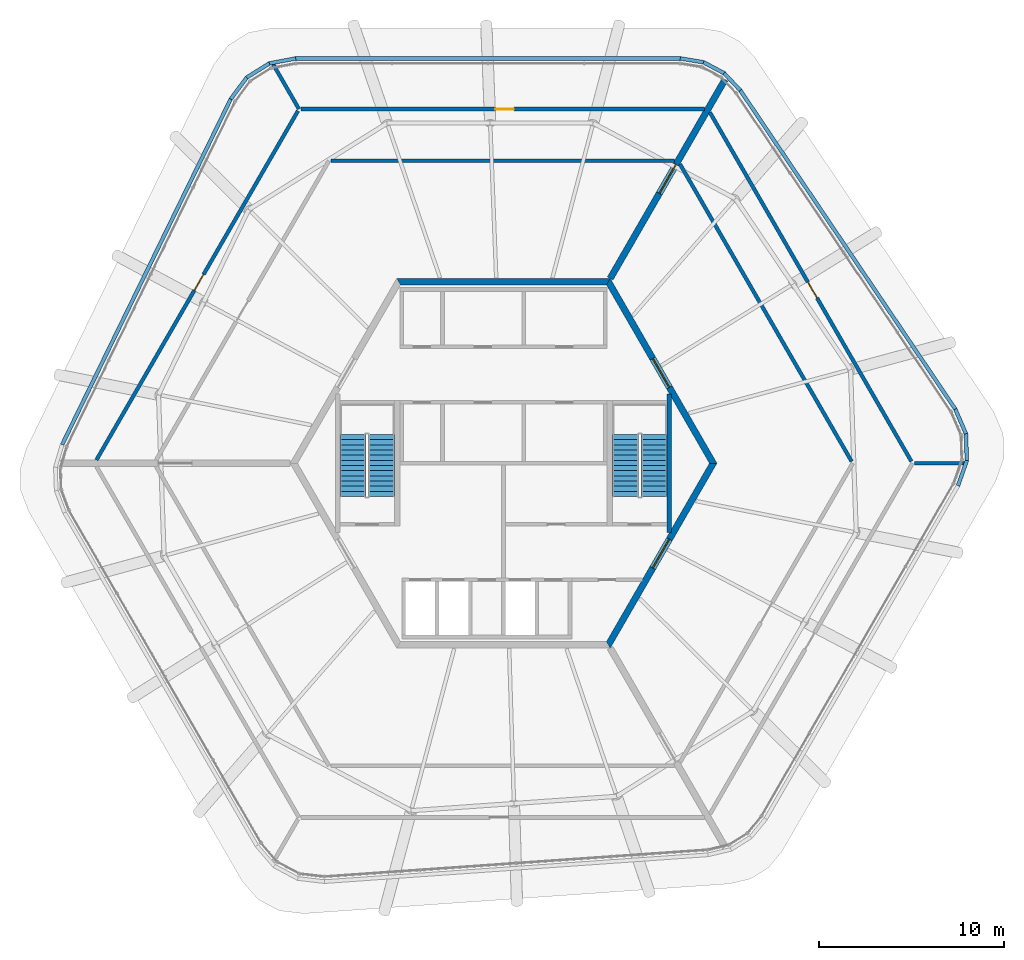
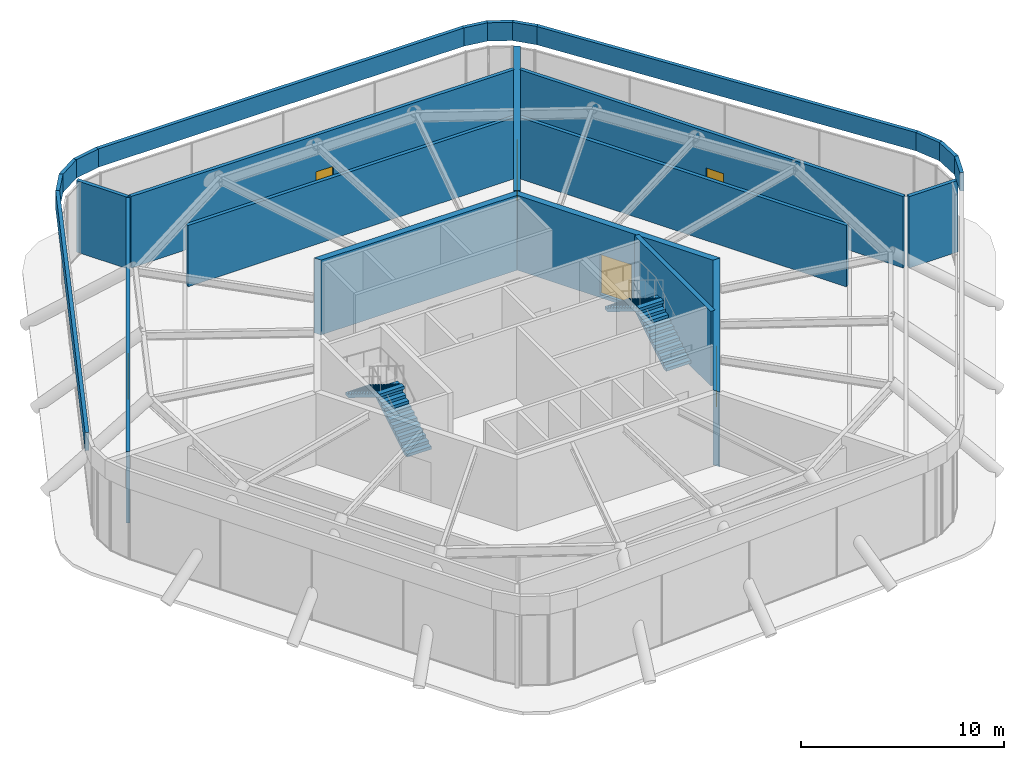
# One storey, part 12 of 13: 24 walls, 6 doors, 4 stair flights, 6 openings, 2 elements without a shape of their own.
"""IFC4 building model written with IfcOpenShell, lengths in metres."""

from ifc_helpers import new_model, si_unit, direction, frame, frame_2d, origin, place, context, subcontext, project, spatial, polyline, rectangle, outline, extrude, material, layer, layer_set, type_object, element, fill, aggregate, save


model = new_model("IFC4")

# Units and contexts
model_context = context("Model", 3, precision=1e-05, world=origin(), true_north=direction((0.0, 1.0)))
body_context = subcontext(model_context, "Body", "Model", "MODEL_VIEW")
ifc_project = project(units=[si_unit("LENGTHUNIT", "METRE"), si_unit("AREAUNIT", "SQUARE_METRE"), si_unit("VOLUMEUNIT", "CUBIC_METRE"), si_unit("PLANEANGLEUNIT", "RADIAN"), si_unit("MASSUNIT", "GRAM", prefix="KILO")], contexts=[model_context])

# Site, building, storey
site_placement = place(None, origin())
site = spatial("IfcSite", under=ifc_project, at=site_placement, CompositionType="ELEMENT")
building_placement = place(site_placement, origin())
building = spatial("IfcBuilding", under=site, at=building_placement, Name="Tarnside Tower", CompositionType="ELEMENT")
storey_placement = place(building_placement, frame((0.0, 0.0, 388.199951171875)))
storey = spatial("IfcBuildingStorey", under=building, at=storey_placement, Name="L92", CompositionType="ELEMENT", Elevation=388.199951171875)

# Wall, opening, door
ifc_material_1 = material(Name="Concrete C50/60", Category="concrete")
ifc_layer_1 = layer(ifc_material_1, 0.35009765625)
ifc_layer_set_1 = layer_set([ifc_layer_1], Name="Core wall Z4 350 C50/60")
wall_type_1 = type_object("IfcWallType", Name="Core wall Z4 350 C50/60", PredefinedType="SHEAR", material=ifc_layer_set_1)
wall_1_placement = place(storey_placement, frame((5.672607421875, -9.824951171875, -0.199951171875), z_axis=(0.0, 0.0, 1.0), x_axis=(0.499995046907, 0.866028263435, 0.0)))
wall_1 = element("IfcWall", 1, at=wall_1_placement, inside=storey, type_object=wall_type_1, Name="L92 core wall face 5", PredefinedType="SHEAR", context=body_context, shape_type="SweptSolid", body=[
    extrude(outline(polyline([(-0.10107421875, -0.175048828125), (11.44580078125, -0.175048828125), (11.24365234375, 0.175048828125), (0.10107421875, 0.175048828125), (-0.10107421875, -0.175048828125)])), origin(), (0.0, 0.0, 1.0), 4.5),
])
opening_1_placement = place(wall_1_placement, frame((4.80126953125, 0.0, 0.199951171875)))
opening_1 = element("IfcOpeningElement", 2, at=opening_1_placement, cuts=wall_1, Name="Opening CD-FFL", PredefinedType="OPENING", context=body_context, shape_type="SweptSolid", body=[
    extrude(rectangle(XDim=1.800048828125, YDim=2.39990234375, at=frame_2d((0.89990234375, 1.199951171875))), frame((0.0, 0.18505859375, 0.0), z_axis=(0.0, -1.0, 0.0), x_axis=(1.0, 0.0, 0.0)), (0.0, 0.0, 1.0), 0.3701171875),
])
ifc_material_2 = material(Name="Steel fire door", Category="steel")
door_type_1 = type_object("IfcDoorType", Name="Firefighting lobby double door FD60S 1800x2400", OperationType="NOTDEFINED", PredefinedType="DOOR", material=ifc_material_2)
door_1_placement = place(opening_1_placement, origin())
door_1 = element("IfcDoor", 3, at=door_1_placement, inside=storey, type_object=door_type_1, Name="L92 core door P4", OperationType="DOUBLE_DOOR_SINGLE_SWING", OverallHeight=2.39990234375, OverallWidth=1.800048828125, PredefinedType="DOOR", context=body_context, shape_type="SweptSolid", body=[
    extrude(rectangle(XDim=1.800048828125, YDim=2.39990234375, at=frame_2d((0.89990234375, 1.199951171875))), frame((0.0, 0.02490234375, 0.0), z_axis=(0.0, -1.0, 0.0), x_axis=(1.0, 0.0, 0.0)), (0.0, 0.0, 1.0), 0.050048828125),
])
fill(opening_1, door_1)

wall_2_placement = place(storey_placement, frame((11.344970703125, 0.0, -0.199951171875), z_axis=(0.0, 0.0, 1.0), x_axis=(-0.499995046907, 0.866028263435, 0.0)))
wall_2 = element("IfcWall", 4, at=wall_2_placement, inside=storey, type_object=wall_type_1, Name="L92 core wall face 6", PredefinedType="SHEAR", context=body_context, shape_type="SweptSolid", body=[
    extrude(outline(polyline([(-0.10107421875, -0.175048828125), (11.44580078125, -0.175048828125), (11.24365234375, 0.175048828125), (0.10107421875, 0.175048828125), (-0.10107421875, -0.175048828125)])), origin(), (0.0, 0.0, 1.0), 4.5),
])
opening_2_placement = place(wall_2_placement, frame((4.74365234375, 0.0, 0.199951171875)))
opening_2 = element("IfcOpeningElement", 5, at=opening_2_placement, cuts=wall_2, Name="Opening CD-LOB", PredefinedType="OPENING", context=body_context, shape_type="SweptSolid", body=[
    extrude(rectangle(XDim=1.800048828125, YDim=2.39990234375, at=frame_2d((0.89990234375, 1.199951171875))), frame((0.0, 0.18505859375, 0.0), z_axis=(0.0, -1.0, 0.0), x_axis=(1.0, 0.0, 0.0)), (0.0, 0.0, 1.0), 0.3701171875),
])
door_type_2 = type_object("IfcDoorType", Name="Lobby double door FD30S 1800x2400", OperationType="NOTDEFINED", PredefinedType="DOOR", material=ifc_material_2)
door_2_placement = place(opening_2_placement, origin())
door_2 = element("IfcDoor", 6, at=door_2_placement, inside=storey, type_object=door_type_2, Name="L92 core door P2", OperationType="DOUBLE_DOOR_SINGLE_SWING", OverallHeight=2.39990234375, OverallWidth=1.800048828125, PredefinedType="DOOR", context=body_context, shape_type="SweptSolid", body=[
    extrude(rectangle(XDim=1.800048828125, YDim=2.39990234375, at=frame_2d((0.89990234375, 1.199951171875))), frame((0.0, 0.02490234375, 0.0), z_axis=(0.0, -1.0, 0.0), x_axis=(1.0, 0.0, 0.0)), (0.0, 0.0, 1.0), 0.050048828125),
])
fill(opening_2, door_2)

# Wall
wall_3_placement = place(storey_placement, frame((5.672607421875, 9.824951171875, -0.199951171875), z_axis=(0.0, 0.0, 1.0), x_axis=(-1.0, 0.0, 0.0)))
element("IfcWall", 7, at=wall_3_placement, inside=storey, type_object=wall_type_1, Name="L92 core wall face 1", PredefinedType="SHEAR", context=body_context, shape_type="SweptSolid", body=[
    extrude(outline(polyline([(-0.10107421875, -0.175048828125), (11.4462890625, -0.175048828125), (11.244140625, 0.175048828125), (0.10107421875, 0.175048828125), (-0.10107421875, -0.175048828125)])), origin(), (0.0, 0.0, 1.0), 4.5),
])

# Wall, opening, door
wall_4_placement = place(storey_placement, frame((5.7734375, 10.0, -0.199951171875), z_axis=(0.0, 0.0, 1.0), x_axis=(0.50001273609, 0.866018050475, 0.0)))
wall_4 = element("IfcWall", 8, at=wall_4_placement, inside=storey, type_object=wall_type_1, Name="L92 spine wall 1", PredefinedType="SHEAR", context=body_context, shape_type="SweptSolid", body=[
    extrude(rectangle(XDim=12.425048828125, YDim=0.35009765625, at=frame_2d((6.21240234375, 0.0))), origin(), (0.0, 0.0, 1.0), 4.5),
])
opening_3_placement = place(wall_4_placement, frame((5.3125, 0.0, 0.199951171875)))
opening_3 = element("IfcOpeningElement", 9, at=opening_3_placement, cuts=wall_4, Name="Opening CD-SPN", PredefinedType="OPENING", context=body_context, shape_type="SweptSolid", body=[
    extrude(rectangle(XDim=1.800048828125, YDim=2.39990234375, at=frame_2d((0.89990234375, 1.199951171875))), frame((0.0, 0.18505859375, 0.0), z_axis=(0.0, -1.0, 0.0), x_axis=(1.0, 0.0, 0.0)), (0.0, 0.0, 1.0), 0.3701171875),
])
door_type_3 = type_object("IfcDoorType", Name="Spine passage double door FD60 1800x2400", OperationType="NOTDEFINED", PredefinedType="DOOR", material=ifc_material_2)
door_3_placement = place(opening_3_placement, origin())
door_3 = element("IfcDoor", 10, at=door_3_placement, inside=storey, type_object=door_type_3, Name="L92 spine passage door 1", OperationType="DOUBLE_DOOR_SINGLE_SWING", OverallHeight=2.39990234375, OverallWidth=1.800048828125, PredefinedType="DOOR", context=body_context, shape_type="SweptSolid", body=[
    extrude(rectangle(XDim=1.800048828125, YDim=2.39990234375, at=frame_2d((0.89990234375, 1.199951171875))), frame((0.0, 0.02490234375, 0.0), z_axis=(0.0, -1.0, 0.0), x_axis=(1.0, 0.0, 0.0)), (0.0, 0.0, 1.0), 0.050048828125),
])
fill(opening_3, door_3)

# Walls
ifc_material_3 = material(Name="Concrete C35/45 precast", Category="concrete")
ifc_layer_2 = layer(ifc_material_3, 0.199951171875)
ifc_layer_set_2 = layer_set([ifc_layer_2], Name="Parapet 200 x 1100")
wall_type_2 = type_object("IfcWallType", Name="Parapet 200 x 1100", PredefinedType="PARAPET", material=ifc_layer_set_2)
wall_5_placement = place(storey_placement, frame((9.5625, 21.89990234375, 4.5), z_axis=(0.0, 0.0, 1.0), x_axis=(0.986779937267, -0.162065898346, 0.0)))
element("IfcWall", 11, at=wall_5_placement, inside=storey, type_object=wall_type_2, Name="Roof parapet 01", PredefinedType="PARAPET", context=body_context, shape_type="SweptSolid", body=[
    extrude(outline(polyline([(0.008056640625, -0.10009765625), (1.256591796875, -0.10009765625), (1.289306640625, 0.10009765625), (-0.008056640625, 0.10009765625), (0.008056640625, -0.10009765625)])), origin(), (0.0, 0.0, 1.0), 1.10009765625),
])
wall_6_placement = place(storey_placement, frame((10.818603515625, 21.693603515625, 4.5), z_axis=(0.0, 0.0, 1.0), x_axis=(0.88290815292, -0.469545731008, 0.0)))
element("IfcWall", 12, at=wall_6_placement, inside=storey, type_object=wall_type_2, Name="Roof parapet 02", PredefinedType="PARAPET", context=body_context, shape_type="SweptSolid", body=[
    extrude(outline(polyline([(0.016357421875, -0.10009765625), (1.248046875, -0.10009765625), (1.28076171875, 0.10009765625), (-0.016357421875, 0.10009765625), (0.016357421875, -0.10009765625)])), origin(), (0.0, 0.0, 1.0), 1.10009765625),
])
wall_7_placement = place(storey_placement, frame((11.93505859375, 21.099853515625, 4.5), z_axis=(0.0, 0.0, 1.0), x_axis=(0.686285527981, -0.727332230885, 0.0)))
element("IfcWall", 13, at=wall_7_placement, inside=storey, type_object=wall_type_2, Name="Roof parapet 03", PredefinedType="PARAPET", context=body_context, shape_type="SweptSolid", body=[
    extrude(outline(polyline([(0.016357421875, -0.10009765625), (1.264892578125, -0.10009765625), (1.281005859375, 0.10009765625), (-0.016357421875, 0.10009765625), (0.016357421875, -0.10009765625)])), origin(), (0.0, 0.0, 1.0), 1.10009765625),
])
wall_8_placement = place(storey_placement, frame((12.80859375, 20.174072265625, 4.5), z_axis=(0.0, 0.0, 1.0), x_axis=(0.559199078033, -0.829033407727, 0.0)))
element("IfcWall", 14, at=wall_8_placement, inside=storey, type_object=wall_type_2, Name="Roof parapet 04", PredefinedType="PARAPET", context=body_context, shape_type="SweptSolid", body=[
    extrude(outline(polyline([(0.008056640625, -0.10009765625), (20.79150390625, -0.10009765625), (20.81005859375, 0.10009765625), (-0.008056640625, 0.10009765625), (0.008056640625, -0.10009765625)])), origin(), (0.0, 0.0, 1.0), 1.10009765625),
])
wall_9_placement = place(storey_placement, frame((24.4404296875, 2.929443359375, 4.5), z_axis=(0.0, 0.0, 1.0), x_axis=(0.39594663585, -0.918273522192, 0.0)))
element("IfcWall", 15, at=wall_9_placement, inside=storey, type_object=wall_type_2, Name="Roof parapet 05", PredefinedType="PARAPET", context=body_context, shape_type="SweptSolid", body=[
    extrude(outline(polyline([(0.00927734375, -0.10009765625), (1.433837890625, -0.10009765625), (1.471435546875, 0.10009765625), (-0.00927734375, 0.10009765625), (0.00927734375, -0.10009765625)])), origin(), (0.0, 0.0, 1.0), 1.10009765625),
])
wall_10_placement = place(storey_placement, frame((25.015625, 1.595458984375, 4.5), z_axis=(0.0, 0.0, 1.0), x_axis=(0.034852691187, -0.999392460406, 0.0)))
element("IfcWall", 16, at=wall_10_placement, inside=storey, type_object=wall_type_2, Name="Roof parapet 06", PredefinedType="PARAPET", context=body_context, shape_type="SweptSolid", body=[
    extrude(outline(polyline([(0.018798828125, -0.10009765625), (1.42431640625, -0.10009765625), (1.4619140625, 0.10009765625), (-0.018798828125, 0.10009765625), (0.018798828125, -0.10009765625)])), origin(), (0.0, 0.0, 1.0), 1.10009765625),
])
wall_11_placement = place(storey_placement, frame((25.06591796875, 0.1533203125, 4.5), z_axis=(0.0, 0.0, 1.0), x_axis=(-0.330964304762, -0.943643274216, 0.0)))
element("IfcWall", 17, at=wall_11_placement, inside=storey, type_object=wall_type_2, Name="Roof parapet 07", PredefinedType="PARAPET", context=body_context, shape_type="SweptSolid", body=[
    extrude(outline(polyline([(0.018798828125, -0.10009765625), (1.443115234375, -0.10009765625), (1.461669921875, 0.10009765625), (-0.018798828125, 0.10009765625), (0.018798828125, -0.10009765625)])), origin(), (0.0, 0.0, 1.0), 1.10009765625),
])
wall_12_placement = place(storey_placement, frame((-23.87548828125, 1.005615234375, 4.5), z_axis=(0.0, 0.0, 1.0), x_axis=(0.43837021347, 0.898794501509, 0.0)))
element("IfcWall", 18, at=wall_12_placement, inside=storey, type_object=wall_type_2, Name="Roof parapet 20", PredefinedType="PARAPET", context=body_context, shape_type="SweptSolid", body=[
    extrude(outline(polyline([(0.008056640625, -0.10009765625), (20.79150390625, -0.10009765625), (20.81005859375, 0.10009765625), (-0.008056640625, 0.10009765625), (0.008056640625, -0.10009765625)])), origin(), (0.0, 0.0, 1.0), 1.10009765625),
])
wall_13_placement = place(storey_placement, frame((-14.757080078125, 19.701171875, 4.5), z_axis=(0.0, 0.0, 1.0), x_axis=(0.597118923952, 0.802152722777, 0.0)))
element("IfcWall", 19, at=wall_13_placement, inside=storey, type_object=wall_type_2, Name="Roof parapet 21", PredefinedType="PARAPET", context=body_context, shape_type="SweptSolid", body=[
    extrude(outline(polyline([(0.00927734375, -0.10009765625), (1.433837890625, -0.10009765625), (1.471435546875, 0.10009765625), (-0.00927734375, 0.10009765625), (0.00927734375, -0.10009765625)])), origin(), (0.0, 0.0, 1.0), 1.10009765625),
])
wall_14_placement = place(storey_placement, frame((-13.8896484375, 20.866455078125, 4.5), z_axis=(0.0, 0.0, 1.0), x_axis=(0.848083831846, 0.529862070884, 0.0)))
element("IfcWall", 20, at=wall_14_placement, inside=storey, type_object=wall_type_2, Name="Roof parapet 22", PredefinedType="PARAPET", context=body_context, shape_type="SweptSolid", body=[
    extrude(outline(polyline([(0.018798828125, -0.10009765625), (1.42431640625, -0.10009765625), (1.4619140625, 0.10009765625), (-0.018798828125, 0.10009765625), (0.018798828125, -0.10009765625)])), origin(), (0.0, 0.0, 1.0), 1.10009765625),
])
wall_15_placement = place(storey_placement, frame((-12.665771484375, 21.631103515625, 4.5), z_axis=(0.0, 0.0, 1.0), x_axis=(0.982729187844, 0.185049570005, 0.0)))
element("IfcWall", 21, at=wall_15_placement, inside=storey, type_object=wall_type_2, Name="Roof parapet 23", PredefinedType="PARAPET", context=body_context, shape_type="SweptSolid", body=[
    extrude(outline(polyline([(0.018798828125, -0.10009765625), (1.443359375, -0.10009765625), (1.4619140625, 0.10009765625), (-0.018798828125, 0.10009765625), (0.018798828125, -0.10009765625)])), origin(), (0.0, 0.0, 1.0), 1.10009765625),
])
wall_16_placement = place(storey_placement, frame((-11.23828125, 21.89990234375, 4.5), z_axis=(0.0, 0.0, 1.0), x_axis=(1.0, 0.0, 0.0)))
element("IfcWall", 22, at=wall_16_placement, inside=storey, type_object=wall_type_2, Name="Roof parapet 24", PredefinedType="PARAPET", context=body_context, shape_type="SweptSolid", body=[
    extrude(outline(polyline([(0.00927734375, -0.10009765625), (20.792724609375, -0.10009765625), (20.808837890625, 0.10009765625), (-0.00927734375, 0.10009765625), (0.00927734375, -0.10009765625)])), origin(), (0.0, 0.0, 1.0), 1.10009765625),
])
ifc_material_4 = material(Name="Concrete C40/50", Category="concrete")
ifc_layer_3 = layer(ifc_material_4, 0.25)
ifc_layer_set_3 = layer_set([ifc_layer_3], Name="Stair enclosure wall 250 C40/50")
wall_type_3 = type_object("IfcWallType", Name="Stair enclosure wall 250 C40/50", PredefinedType="SHEAR", material=ifc_layer_set_3)
wall_17_placement = place(storey_placement, frame((8.97509765625, -3.7548828125, -0.199951171875), z_axis=(0.0, 0.0, 1.0), x_axis=(0.0, 1.0, 0.0)))
element("IfcWall", 23, at=wall_17_placement, inside=storey, type_object=wall_type_3, Name="L92 stair 1 enclosure wall outer", PredefinedType="SHEAR", context=body_context, shape_type="SweptSolid", body=[
    extrude(rectangle(XDim=7.509765625, YDim=0.25, at=frame_2d((3.7548828125, 0.0))), origin(), (0.0, 0.0, 1.0), 4.5),
])
ifc_material_5 = material(Name="Concrete C32/40", Category="concrete")
ifc_layer_4 = layer(ifc_material_5, 0.199951171875)
ifc_layer_set_4 = layer_set([ifc_layer_4], Name="Wall 200 reinforced Concrete C32/40")
wall_type_4 = type_object("IfcWallType", Name="Wall 200 reinforced Concrete C32/40", PredefinedType="PARTITIONING", material=ifc_layer_set_4)
wall_18_placement = place(storey_placement, frame((-12.501953125, 21.653076171875, 0.0), z_axis=(0.0, 0.0, 1.0), x_axis=(0.500133489192, -0.865948320045, 0.0)))
element("IfcWall", 24, at=wall_18_placement, inside=storey, type_object=wall_type_4, Name="Partition 003", PredefinedType="PARTITIONING", context=body_context, shape_type="SweptSolid", body=[
    extrude(rectangle(XDim=2.879150390625, YDim=0.199951171875, at=frame_2d((1.439453125, 0.0))), origin(), (0.0, 0.0, 1.0), 4.300048828125),
])

# Wall, opening, door
wall_19_placement = place(storey_placement, frame((-22.02294921875, 0.175048828125, 0.0), z_axis=(0.0, 0.0, 1.0), x_axis=(0.500001886152, 0.866024314812, 0.0)))
wall_19 = element("IfcWall", 25, at=wall_19_placement, inside=storey, type_object=wall_type_4, Name="Partition 005", PredefinedType="PARTITIONING", context=body_context, shape_type="SweptSolid", body=[
    extrude(rectangle(XDim=21.806640625, YDim=0.199951171875, at=frame_2d((10.9033203125, 0.0))), origin(), (0.0, 0.0, 1.0), 4.300048828125),
])
opening_4_placement = place(wall_19_placement, frame((10.603271484375, 0.0, 0.0)))
opening_4 = element("IfcOpeningElement", 26, at=opening_4_placement, cuts=wall_19, Name="Opening D1000F60", PredefinedType="OPENING", context=body_context, shape_type="SweptSolid", body=[
    extrude(rectangle(XDim=1.0, YDim=2.10009765625, at=frame_2d((0.5, 1.050048828125))), frame((0.0, 0.10986328125, 0.0), z_axis=(0.0, -1.0, 0.0), x_axis=(1.0, 0.0, 0.0)), (0.0, 0.0, 1.0), 0.219970703125),
])
ifc_material_6 = material(Name="Timber door leaf", Category="wood")
door_type_4 = type_object("IfcDoorType", Name="Door 1000 x 2100 single leaf FD60 fire door", OperationType="NOTDEFINED", PredefinedType="DOOR", material=ifc_material_6)
door_4_placement = place(opening_4_placement, origin())
door_4 = element("IfcDoor", 27, at=door_4_placement, inside=storey, type_object=door_type_4, Name="Door L92-04", OperationType="SINGLE_SWING_LEFT", OverallHeight=2.10009765625, OverallWidth=1.0, PredefinedType="DOOR", context=body_context, shape_type="SweptSolid", body=[
    extrude(rectangle(XDim=1.0, YDim=2.10009765625, at=frame_2d((0.5, 1.050048828125))), frame((0.0, 0.02490234375, 0.0), z_axis=(0.0, -1.0, 0.0), x_axis=(1.0, 0.0, 0.0)), (0.0, 0.0, 1.0), 0.050048828125),
])
fill(opening_4, door_4)

# Wall
wall_20_placement = place(storey_placement, frame((9.242919921875, 16.360107421875, 0.0), z_axis=(0.0, 0.0, 1.0), x_axis=(-1.0, 0.0, 0.0)))
element("IfcWall", 28, at=wall_20_placement, inside=storey, type_object=wall_type_4, Name="Partition 008", PredefinedType="PARTITIONING", context=body_context, shape_type="SweptSolid", body=[
    extrude(rectangle(XDim=18.572509765625, YDim=0.199951171875, at=frame_2d((9.2861328125, 0.0))), origin(), (0.0, 0.0, 1.0), 3.6923828125),
])

# Wall, opening, door
wall_21_placement = place(storey_placement, frame((-10.946533203125, 19.159912109375, 0.0), z_axis=(0.0, 0.0, 1.0), x_axis=(1.0, 0.0, 0.0)))
wall_21 = element("IfcWall", 29, at=wall_21_placement, inside=storey, type_object=wall_type_4, Name="Partition 010", PredefinedType="PARTITIONING", context=body_context, shape_type="SweptSolid", body=[
    extrude(rectangle(XDim=21.806640625, YDim=0.199951171875, at=frame_2d((10.9033203125, 0.0))), origin(), (0.0, 0.0, 1.0), 4.300048828125),
])
opening_5_placement = place(wall_21_placement, frame((10.503173828125, 0.0, 0.0)))
opening_5 = element("IfcOpeningElement", 30, at=opening_5_placement, cuts=wall_21, Name="Opening D1000F60", PredefinedType="OPENING", context=body_context, shape_type="SweptSolid", body=[
    extrude(rectangle(XDim=1.0, YDim=2.10009765625, at=frame_2d((0.5, 1.050048828125))), frame((0.0, 0.10986328125, 0.0), z_axis=(0.0, -1.0, 0.0), x_axis=(1.0, 0.0, 0.0)), (0.0, 0.0, 1.0), 0.219970703125),
])
door_5_placement = place(opening_5_placement, origin())
door_5 = element("IfcDoor", 31, at=door_5_placement, inside=storey, type_object=door_type_4, Name="Door L92-07", OperationType="SINGLE_SWING_RIGHT", OverallHeight=2.10009765625, OverallWidth=1.0, PredefinedType="DOOR", context=body_context, shape_type="SweptSolid", body=[
    extrude(rectangle(XDim=1.0, YDim=2.10009765625, at=frame_2d((0.5, 1.050048828125))), frame((0.0, 0.02490234375, 0.0), z_axis=(0.0, -1.0, 0.0), x_axis=(1.0, 0.0, 0.0)), (0.0, 0.0, 1.0), 0.050048828125),
])
fill(opening_5, door_5)

# Wall
wall_22_placement = place(storey_placement, frame((18.833251953125, 0.10009765625, 0.0), z_axis=(0.0, 0.0, 1.0), x_axis=(-0.500028143963, 0.86600915425, 0.0)))
element("IfcWall", 32, at=wall_22_placement, inside=storey, type_object=wall_type_4, Name="Partition 012", PredefinedType="PARTITIONING", context=body_context, shape_type="SweptSolid", body=[
    extrude(rectangle(XDim=18.57373046875, YDim=0.199951171875, at=frame_2d((9.286865234375, 0.0))), origin(), (0.0, 0.0, 1.0), 3.6923828125),
])

# Wall, opening, door
wall_23_placement = place(storey_placement, frame((11.1630859375, 18.985107421875, 0.0), z_axis=(0.0, 0.0, 1.0), x_axis=(0.499993489295, -0.866029162709, 0.0)))
wall_23 = element("IfcWall", 33, at=wall_23_placement, inside=storey, type_object=wall_type_4, Name="Partition 013", PredefinedType="PARTITIONING", context=body_context, shape_type="SweptSolid", body=[
    extrude(rectangle(XDim=21.806396484375, YDim=0.199951171875, at=frame_2d((10.9033203125, 0.0))), origin(), (0.0, 0.0, 1.0), 4.300048828125),
])
opening_6_placement = place(wall_23_placement, frame((10.603271484375, 0.0, 0.0)))
opening_6 = element("IfcOpeningElement", 34, at=opening_6_placement, cuts=wall_23, Name="Opening D1000F60", PredefinedType="OPENING", context=body_context, shape_type="SweptSolid", body=[
    extrude(rectangle(XDim=1.0, YDim=2.10009765625, at=frame_2d((0.5, 1.050048828125))), frame((0.0, 0.10986328125, 0.0), z_axis=(0.0, -1.0, 0.0), x_axis=(1.0, 0.0, 0.0)), (0.0, 0.0, 1.0), 0.219970703125),
])
door_6_placement = place(opening_6_placement, origin())
door_6 = element("IfcDoor", 35, at=door_6_placement, inside=storey, type_object=door_type_4, Name="Door L92-09", OperationType="SINGLE_SWING_RIGHT", OverallHeight=2.10009765625, OverallWidth=1.0, PredefinedType="DOOR", context=body_context, shape_type="SweptSolid", body=[
    extrude(rectangle(XDim=1.0, YDim=2.10009765625, at=frame_2d((0.5, 1.050048828125))), frame((0.0, 0.02490234375, 0.0), z_axis=(0.0, -1.0, 0.0), x_axis=(1.0, 0.0, 0.0)), (0.0, 0.0, 1.0), 0.050048828125),
])
fill(opening_6, door_6)

# Wall
wall_24_placement = place(storey_placement, frame((25.0029296875, 0.0, 0.0), z_axis=(0.0, 0.0, 1.0), x_axis=(-1.0, 0.0, 0.0)))
element("IfcWall", 36, at=wall_24_placement, inside=storey, type_object=wall_type_4, Name="Partition 014", PredefinedType="PARTITIONING", context=body_context, shape_type="SweptSolid", body=[
    extrude(rectangle(XDim=2.763427734375, YDim=0.199951171875, at=frame_2d((1.3818359375, 0.0))), origin(), (0.0, 0.0, 1.0), 4.300048828125),
])

# Stair, stair flights
stair_type = type_object("IfcStairType", Name="Exit stair 1400 clear", PredefinedType="HALF_TURN_STAIR", material=ifc_material_4)
stair_1_placement = place(storey_placement, origin())
stair_1 = element("IfcStair", 37, at=stair_1_placement, inside=storey, type_object=stair_type, Name="L92 Exit stair 1", PredefinedType="HALF_TURN_STAIR")
stair_flight_type = type_object("IfcStairFlightType", Name="Exit stair flight 1400", PredefinedType="STRAIGHT", material=ifc_material_4)
stair_flight_1_placement = place(storey_placement, frame((8.14990234375, -1.800048828125, 0.0), z_axis=(0.0, 0.0, 1.0), x_axis=(0.0, 1.0, 0.0)))
stair_flight_1 = element("IfcStairFlight", 38, at=stair_flight_1_placement, type_object=stair_flight_type, Name="ST1 flight 1", NumberOfRisers=13, NumberOfTreads=12, PredefinedType="STRAIGHT", RiserHeight=0.173076923, TreadLength=0.28, context=body_context, shape_type="SweptSolid", body=[
    extrude(outline(polyline([(0.0, 0.0), (0.0, 0.173095703125), (0.280029296875, 0.173095703125), (0.280029296875, 0.34619140625), (0.56005859375, 0.34619140625), (0.56005859375, 0.519287109375), (0.840087890625, 0.519287109375), (0.840087890625, 0.6923828125), (1.1201171875, 0.6923828125), (1.1201171875, 0.865478515625), (1.39990234375, 0.865478515625), (1.39990234375, 1.03857421875), (1.679931640625, 1.03857421875), (1.679931640625, 1.21142578125), (1.9599609375, 1.21142578125), (1.9599609375, 1.384521484375), (2.239990234375, 1.384521484375), (2.239990234375, 1.5576171875), (2.52001953125, 1.5576171875), (2.52001953125, 1.730712890625), (2.800048828125, 1.730712890625), (2.800048828125, 1.90380859375), (3.080078125, 1.90380859375), (3.080078125, 2.076904296875), (3.360107421875, 2.076904296875), (3.360107421875, 2.25), (3.360107421875, 1.900634765625), (0.28515625, 0.0), (0.0, 0.0)])), frame((0.0, 0.699951171875, 0.0), z_axis=(0.0, -1.0, 0.0), x_axis=(1.0, 0.0, 0.0)), (0.0, 0.0, 1.0), 1.39990234375),
])
stair_flight_2_placement = place(storey_placement, frame((6.60009765625, 1.56005859375, 2.25), z_axis=(0.0, 0.0, 1.0), x_axis=(0.0, -1.0, 0.0)))
stair_flight_2 = element("IfcStairFlight", 39, at=stair_flight_2_placement, type_object=stair_flight_type, Name="ST1 flight 2", NumberOfRisers=13, NumberOfTreads=12, PredefinedType="STRAIGHT", RiserHeight=0.173076923, TreadLength=0.28, context=body_context, shape_type="SweptSolid", body=[
    extrude(outline(polyline([(0.0, 0.0), (0.0, 0.173095703125), (0.280029296875, 0.173095703125), (0.280029296875, 0.34619140625), (0.56005859375, 0.34619140625), (0.56005859375, 0.519287109375), (0.840087890625, 0.519287109375), (0.840087890625, 0.6923828125), (1.1201171875, 0.6923828125), (1.1201171875, 0.865478515625), (1.39990234375, 0.865478515625), (1.39990234375, 1.03857421875), (1.679931640625, 1.03857421875), (1.679931640625, 1.21142578125), (1.9599609375, 1.21142578125), (1.9599609375, 1.384521484375), (2.239990234375, 1.384521484375), (2.239990234375, 1.5576171875), (2.52001953125, 1.5576171875), (2.52001953125, 1.730712890625), (2.800048828125, 1.730712890625), (2.800048828125, 1.90380859375), (3.080078125, 1.90380859375), (3.080078125, 2.076904296875), (3.360107421875, 2.076904296875), (3.360107421875, 2.25), (3.360107421875, 1.900634765625), (0.28515625, 0.0), (0.0, 0.0)])), frame((0.0, 0.699951171875, 0.0), z_axis=(0.0, -1.0, 0.0), x_axis=(1.0, 0.0, 0.0)), (0.0, 0.0, 1.0), 1.39990234375),
])
aggregate(stair_1, [stair_flight_1, stair_flight_2])

stair_2_placement = place(storey_placement, origin())
stair_2 = element("IfcStair", 40, at=stair_2_placement, inside=storey, type_object=stair_type, Name="L92 Exit stair 2", PredefinedType="HALF_TURN_STAIR")
stair_flight_3_placement = place(storey_placement, frame((-6.60009765625, -1.800048828125, 0.0), z_axis=(0.0, 0.0, 1.0), x_axis=(0.0, 1.0, 0.0)))
stair_flight_3 = element("IfcStairFlight", 41, at=stair_flight_3_placement, type_object=stair_flight_type, Name="ST2 flight 1", NumberOfRisers=13, NumberOfTreads=12, PredefinedType="STRAIGHT", RiserHeight=0.173076923, TreadLength=0.28, context=body_context, shape_type="SweptSolid", body=[
    extrude(outline(polyline([(0.0, 0.0), (0.0, 0.173095703125), (0.280029296875, 0.173095703125), (0.280029296875, 0.34619140625), (0.56005859375, 0.34619140625), (0.56005859375, 0.519287109375), (0.840087890625, 0.519287109375), (0.840087890625, 0.6923828125), (1.1201171875, 0.6923828125), (1.1201171875, 0.865478515625), (1.39990234375, 0.865478515625), (1.39990234375, 1.03857421875), (1.679931640625, 1.03857421875), (1.679931640625, 1.21142578125), (1.9599609375, 1.21142578125), (1.9599609375, 1.384521484375), (2.239990234375, 1.384521484375), (2.239990234375, 1.5576171875), (2.52001953125, 1.5576171875), (2.52001953125, 1.730712890625), (2.800048828125, 1.730712890625), (2.800048828125, 1.90380859375), (3.080078125, 1.90380859375), (3.080078125, 2.076904296875), (3.360107421875, 2.076904296875), (3.360107421875, 2.25), (3.360107421875, 1.900634765625), (0.28515625, 0.0), (0.0, 0.0)])), frame((0.0, 0.699951171875, 0.0), z_axis=(0.0, -1.0, 0.0), x_axis=(1.0, 0.0, 0.0)), (0.0, 0.0, 1.0), 1.39990234375),
])
stair_flight_4_placement = place(storey_placement, frame((-8.14990234375, 1.56005859375, 2.25), z_axis=(0.0, 0.0, 1.0), x_axis=(0.0, -1.0, 0.0)))
stair_flight_4 = element("IfcStairFlight", 42, at=stair_flight_4_placement, type_object=stair_flight_type, Name="ST2 flight 2", NumberOfRisers=13, NumberOfTreads=12, PredefinedType="STRAIGHT", RiserHeight=0.173076923, TreadLength=0.28, context=body_context, shape_type="SweptSolid", body=[
    extrude(outline(polyline([(0.0, 0.0), (0.0, 0.173095703125), (0.280029296875, 0.173095703125), (0.280029296875, 0.34619140625), (0.56005859375, 0.34619140625), (0.56005859375, 0.519287109375), (0.840087890625, 0.519287109375), (0.840087890625, 0.6923828125), (1.1201171875, 0.6923828125), (1.1201171875, 0.865478515625), (1.39990234375, 0.865478515625), (1.39990234375, 1.03857421875), (1.679931640625, 1.03857421875), (1.679931640625, 1.21142578125), (1.9599609375, 1.21142578125), (1.9599609375, 1.384521484375), (2.239990234375, 1.384521484375), (2.239990234375, 1.5576171875), (2.52001953125, 1.5576171875), (2.52001953125, 1.730712890625), (2.800048828125, 1.730712890625), (2.800048828125, 1.90380859375), (3.080078125, 1.90380859375), (3.080078125, 2.076904296875), (3.360107421875, 2.076904296875), (3.360107421875, 2.25), (3.360107421875, 1.900634765625), (0.28515625, 0.0), (0.0, 0.0)])), frame((0.0, 0.699951171875, 0.0), z_axis=(0.0, -1.0, 0.0), x_axis=(1.0, 0.0, 0.0)), (0.0, 0.0, 1.0), 1.39990234375),
])
aggregate(stair_2, [stair_flight_3, stair_flight_4])

save(model, "model.ifc")
